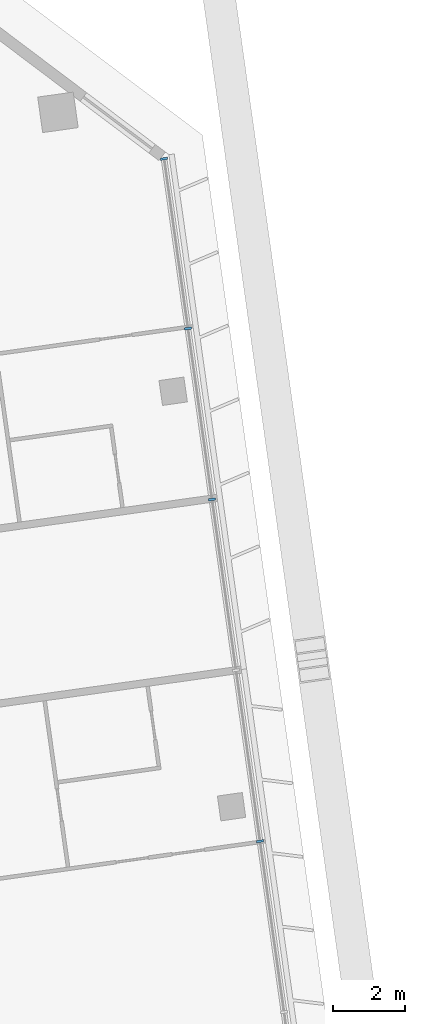
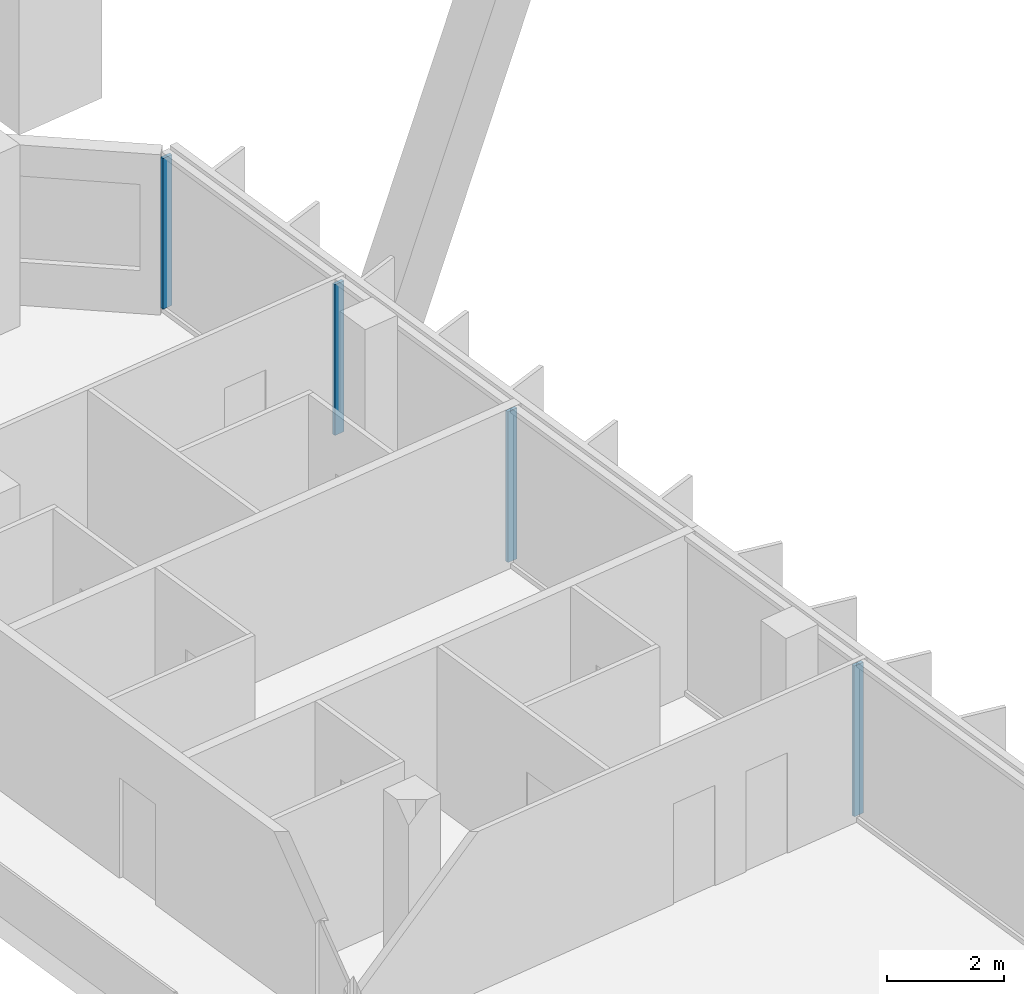
# One storey, part 33 of 49: 4 members, 1 element without a shape of its own.
"""IFC4 building model written with IfcOpenShell, lengths in metres."""

from ifc_helpers import new_model, si_unit, direction, frame, origin, origin_2d, place, context, subcontext, project, spatial, rectangle, extrude, material, material_profile, profile_set, type_object, element, aggregate, save


model = new_model("IFC4")

# Units and contexts
model_context = context("Model", 3, precision=1e-05, world=origin(), true_north=direction((0.0, 1.0)))
body_context = subcontext(model_context, "Body", "Model", "MODEL_VIEW")
ifc_project = project(units=[si_unit("LENGTHUNIT", "METRE"), si_unit("AREAUNIT", "SQUARE_METRE"), si_unit("VOLUMEUNIT", "CUBIC_METRE"), si_unit("PLANEANGLEUNIT", "RADIAN"), si_unit("MASSUNIT", "GRAM", prefix="KILO")], contexts=[model_context])

# Site, building, storey
site_placement = place(None, origin())
site = spatial("IfcSite", under=ifc_project, at=site_placement, CompositionType="ELEMENT")
building_placement = place(site_placement, origin())
building = spatial("IfcBuilding", under=site, at=building_placement, Name="Mirante Cascada Hotel Towers", CompositionType="ELEMENT")
storey_placement = place(building_placement, frame((0.0, 0.0, 66.1)))
storey = spatial("IfcBuildingStorey", under=building, at=storey_placement, Name="L13", CompositionType="ELEMENT", Elevation=66.1)

# Curtain wall, members
ifc_material_1 = material(Name="Aluminium mullion and transom frame with clear laminated glass", Category="aluminium")
curtain_wall_type = type_object("IfcCurtainWallType", Name="End ribbon curtain wall ECW2", PredefinedType="NOTDEFINED", material=ifc_material_1)
curtain_wall_placement = place(storey_placement, origin())
curtain_wall = element("IfcCurtainWall", 1, at=curtain_wall_placement, inside=storey, type_object=curtain_wall_type, Name="Outer end wall T2 L13", PredefinedType="NOTDEFINED")
ifc_material_2 = material(Name="Anodised aluminium extrusion", Category="aluminium")
ifc_material_profile = material_profile(ifc_material_2, rectangle(XDim=0.2, YDim=0.065, at=origin_2d()), Name="ECW2 MULLION 65x200")
ifc_profile_set = profile_set([ifc_material_profile], Name="Anodised aluminium extrusion")
member_type = type_object("IfcMemberType", Name="ECW2 mullion 65x200", PredefinedType="MULLION", material=ifc_profile_set)
member_1_placement = place(storey_placement, frame((101.8205, 3.2338, 0.1), z_axis=(0.0, 0.0, 1.0), x_axis=(-0.9902681, -0.1391731, 0.0)))
member_1 = element("IfcMember", 2, at=member_1_placement, type_object=member_type, Name="ECW2 mullion 3", PredefinedType="MULLION", context=body_context, shape_type="SweptSolid", body=[
    extrude(rectangle(XDim=0.2, YDim=0.065, at=origin_2d()), origin(), (0.0, 0.0, 1.0), 3.15),
])
member_2_placement = place(storey_placement, frame((100.481, 12.7654, 0.1), z_axis=(0.0, 0.0, 1.0), x_axis=(-0.9902681, -0.1391731, 0.0)))
member_2 = element("IfcMember", 3, at=member_2_placement, type_object=member_type, Name="ECW2 mullion 5", PredefinedType="MULLION", context=body_context, shape_type="SweptSolid", body=[
    extrude(rectangle(XDim=0.2, YDim=0.065, at=origin_2d()), origin(), (0.0, 0.0, 1.0), 3.15),
])
member_3_placement = place(storey_placement, frame((99.8112, 17.5312, 0.1), z_axis=(0.0, 0.0, 1.0), x_axis=(-0.9902681, -0.1391731, 0.0)))
member_3 = element("IfcMember", 4, at=member_3_placement, type_object=member_type, Name="ECW2 mullion 6", PredefinedType="MULLION", context=body_context, shape_type="SweptSolid", body=[
    extrude(rectangle(XDim=0.2, YDim=0.065, at=origin_2d()), origin(), (0.0, 0.0, 1.0), 3.15),
])
member_4_placement = place(storey_placement, frame((99.1459, 22.2648, 0.1), z_axis=(0.0, 0.0, 1.0), x_axis=(-0.9902681, -0.1391731, 0.0)))
member_4 = element("IfcMember", 5, at=member_4_placement, type_object=member_type, Name="ECW2 mullion 7", PredefinedType="MULLION", context=body_context, shape_type="SweptSolid", body=[
    extrude(rectangle(XDim=0.2, YDim=0.065, at=origin_2d()), origin(), (0.0, 0.0, 1.0), 3.15),
])
aggregate(curtain_wall, [member_1, member_2, member_3, member_4])

save(model, "model.ifc")
